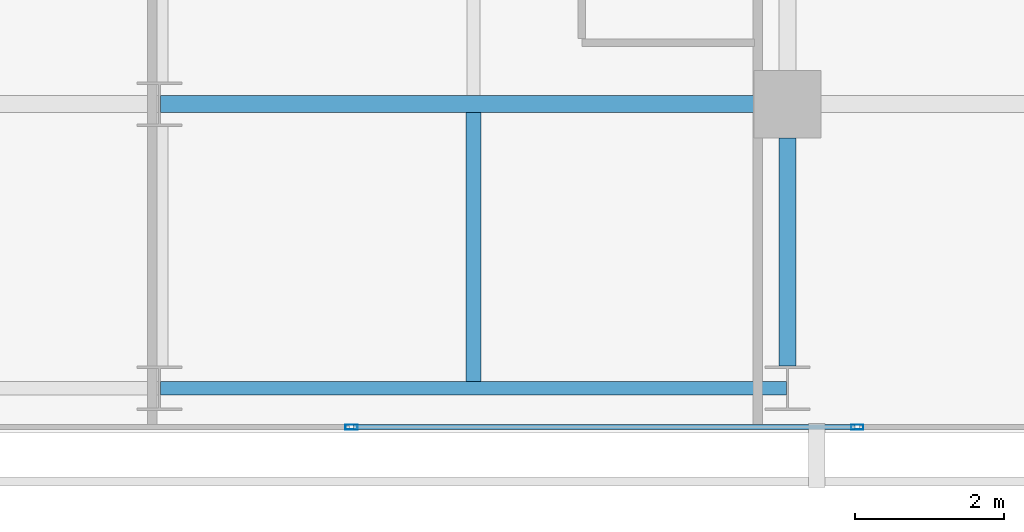
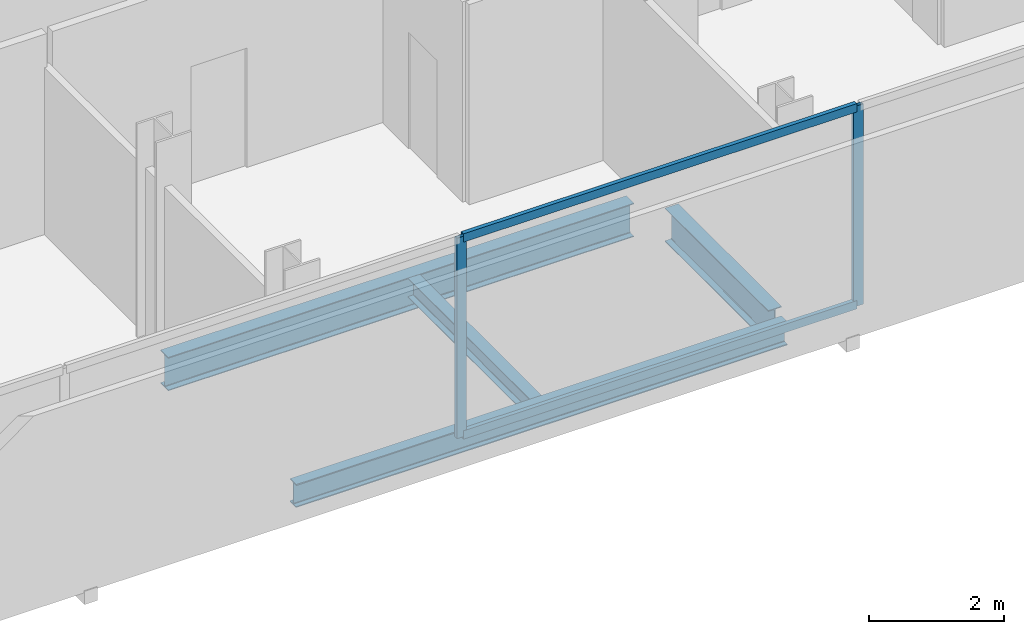
# One storey, part 12 of 34: 4 beams, 4 members, 1 element without a shape of its own.
"""IFC4 building model written with IfcOpenShell, lengths in metres."""

from ifc_helpers import new_model, si_unit, direction, frame, origin, origin_2d, place, context, subcontext, project, spatial, hollow_rectangle, i_section, extrude, material, layer, layer_set, material_profile, profile_set, type_object, element, aggregate, save


model = new_model("IFC4")

# Units and contexts
model_context = context("Model", 3, precision=1e-05, world=origin(), true_north=direction((0.0, 1.0)))
body_context = subcontext(model_context, "Body", "Model", "MODEL_VIEW")
ifc_project = project(units=[si_unit("LENGTHUNIT", "METRE"), si_unit("AREAUNIT", "SQUARE_METRE"), si_unit("VOLUMEUNIT", "CUBIC_METRE"), si_unit("PLANEANGLEUNIT", "RADIAN"), si_unit("MASSUNIT", "GRAM", prefix="KILO")], contexts=[model_context])

# Site, building, storey
site_placement = place(None, origin())
site = spatial("IfcSite", under=ifc_project, at=site_placement, CompositionType="ELEMENT")
building_placement = place(site_placement, origin())
building = spatial("IfcBuilding", under=site, at=building_placement, Name="Maruvema Waterfront Hotel and Observation Tower", CompositionType="ELEMENT")
storey_placement = place(building_placement, frame((0.0, 0.0, 173.60009765625)))
storey = spatial("IfcBuildingStorey", under=building, at=storey_placement, Name="L42", CompositionType="ELEMENT", Elevation=173.60009765625)

# Curtain wall, members
ifc_material_1 = material(Name="Anodised bronze aluminium and solar-control low-E IGU", Category="aluminium")
ifc_layer = layer(ifc_material_1, 0.159912109375, Name="Zone 2 Amber Inner Thermal Curtain Wall System CW-03")
ifc_layer_set = layer_set([ifc_layer], Name="Anodised bronze aluminium and solar-control low-E IGU")
curtain_wall_type = type_object("IfcCurtainWallType", Name="Zone 2 Amber Inner Thermal Curtain Wall System CW-03", PredefinedType="USERDEFINED", material=ifc_layer_set)
curtain_wall_placement = place(storey_placement, origin())
curtain_wall = element("IfcCurtainWall", 1, at=curtain_wall_placement, inside=storey, type_object=curtain_wall_type, Name="L42 Curtain Wall CW-L42-S", ObjectType="UNITISED CURTAIN WALL", PredefinedType="USERDEFINED")
ifc_material_2 = material(Name="Anodised architectural bronze aluminium", Category="aluminium")
ifc_material_profile_1 = material_profile(ifc_material_2, hollow_rectangle(XDim=0.070068359375, YDim=0.14990234375, WallThickness=0.00390625, at=origin_2d()), Name="ALU-T70x150")
ifc_profile_set_1 = profile_set([ifc_material_profile_1], Name="Anodised architectural bronze aluminium")
member_type_1 = type_object("IfcMemberType", Name="Curtain Wall Horizontal Transom ALU-T70x150", PredefinedType="USERDEFINED", material=ifc_profile_set_1)
member_1_placement = place(storey_placement, frame((44.5966796875, 4.679931640625, 0.02978515625), z_axis=(1.0, 0.0, 0.0), x_axis=(0.0, 1.0, 0.0)))
member_1 = element("IfcMember", 2, at=member_1_placement, type_object=member_type_1, Name="CW-03 transom 5.1", ObjectType="TRANSOM", PredefinedType="USERDEFINED", context=body_context, shape_type="SweptSolid", body=[
    extrude(hollow_rectangle(XDim=0.070068359375, YDim=0.14990234375, WallThickness=0.00390625, at=origin_2d()), origin(), (0.0, 0.0, 1.0), 6.70654296875),
])
member_2_placement = place(storey_placement, frame((44.5966796875, 4.679931640625, 3.579833984375), z_axis=(1.0, 0.0, 0.0), x_axis=(0.0, 1.0, 0.0)))
member_2 = element("IfcMember", 3, at=member_2_placement, type_object=member_type_1, Name="CW-03 transom 5.2", ObjectType="TRANSOM", PredefinedType="USERDEFINED", context=body_context, shape_type="SweptSolid", body=[
    extrude(hollow_rectangle(XDim=0.070068359375, YDim=0.14990234375, WallThickness=0.00390625, at=origin_2d()), origin(), (0.0, 0.0, 1.0), 6.70654296875),
])
ifc_material_3 = material(Name="Anodised architectural bronze aluminium", Category="aluminium")
ifc_material_profile_2 = material_profile(ifc_material_3, hollow_rectangle(XDim=0.06494140625, YDim=0.1650390625, WallThickness=0.00390625, at=origin_2d()), Name="ALU-M65x165")
ifc_profile_set_2 = profile_set([ifc_material_profile_2], Name="Anodised architectural bronze aluminium")
member_type_2 = type_object("IfcMemberType", Name="Curtain Wall Primary Mullion ALU-M65x165", PredefinedType="MULLION", material=ifc_profile_set_2)
member_3_placement = place(storey_placement, frame((44.566650390625, 4.679931640625, 0.0), z_axis=(0.0, 0.0, 1.0), x_axis=(0.0, 1.0, 0.0)))
member_3 = element("IfcMember", 4, at=member_3_placement, type_object=member_type_2, Name="CW-03 mullion 5", PredefinedType="MULLION", context=body_context, shape_type="SweptSolid", body=[
    extrude(hollow_rectangle(XDim=0.06494140625, YDim=0.1650390625, WallThickness=0.00390625, at=origin_2d()), origin(), (0.0, 0.0, 1.0), 3.60986328125),
])
member_4_placement = place(storey_placement, frame((51.333251953125, 4.679931640625, 0.0), z_axis=(0.0, 0.0, 1.0), x_axis=(0.0, 1.0, 0.0)))
member_4 = element("IfcMember", 5, at=member_4_placement, type_object=member_type_2, Name="CW-03 mullion 6", PredefinedType="MULLION", context=body_context, shape_type="SweptSolid", body=[
    extrude(hollow_rectangle(XDim=0.06494140625, YDim=0.1650390625, WallThickness=0.00390625, at=origin_2d()), origin(), (0.0, 0.0, 1.0), 3.60986328125),
])
aggregate(curtain_wall, [member_3, member_4, member_1, member_2])

# Beams
ifc_material_4 = material(Name="Steel ASTM A572 Grade 50", Category="steel")
ifc_material_profile_3 = material_profile(ifc_material_4, i_section(OverallWidth=0.180908203125, OverallDepth=0.4169921875, WebThickness=0.010986328125, FlangeThickness=0.018310546875, FilletRadius=0.014892578125, at=origin_2d()), Name="W410x85.0")
ifc_profile_set_3 = profile_set([ifc_material_profile_3], Name="Steel ASTM A572 Grade 50")
beam_type_1 = type_object("IfcBeamType", Name="Perimeter Spandrel Beam W410x85.0", PredefinedType="SPANDREL", material=ifc_profile_set_3)
beam_1_placement = place(storey_placement, frame((42.012451171875, 5.199951171875, -0.448486328125), z_axis=(1.0, 0.0, 0.0), x_axis=(0.0, 1.0, 0.0)))
element("IfcBeam", 6, at=beam_1_placement, inside=storey, type_object=beam_type_1, Name="L42 Floor Girder EW-03", PredefinedType="SPANDREL", context=body_context, shape_type="SweptSolid", body=[
    extrude(i_section(OverallWidth=0.180908203125, OverallDepth=0.4169921875, WebThickness=0.010986328125, FlangeThickness=0.018310546875, FilletRadius=0.014892578125, at=origin_2d()), origin(), (0.0, 0.0, 1.0), 8.375),
])
ifc_material_5 = material(Name="Steel ASTM A572 Grade 50", Category="steel")
ifc_material_profile_4 = material_profile(ifc_material_5, i_section(OverallWidth=0.22802734375, OverallDepth=0.60302734375, WebThickness=0.010498046875, FlangeThickness=0.014892578125, FilletRadius=0.01806640625, at=origin_2d()), Name="W610x101.0")
ifc_profile_set_4 = profile_set([ifc_material_profile_4], Name="Steel ASTM A572 Grade 50")
beam_type_2 = type_object("IfcBeamType", Name="Primary Floor Girder W610x101.0", PredefinedType="BEAM", material=ifc_profile_set_4)
beam_2_placement = place(storey_placement, frame((42.012451171875, 9.0, -0.54150390625), z_axis=(1.0, 0.0, 0.0), x_axis=(0.0, 1.0, 0.0)))
element("IfcBeam", 7, at=beam_2_placement, inside=storey, type_object=beam_type_2, Name="L42 Floor Girder EW-08", PredefinedType="BEAM", context=body_context, shape_type="SweptSolid", body=[
    extrude(i_section(OverallWidth=0.22802734375, OverallDepth=0.60302734375, WebThickness=0.010498046875, FlangeThickness=0.014892578125, FilletRadius=0.01806640625, at=origin_2d()), origin(), (0.0, 0.0, 1.0), 7.9375),
])
beam_3_placement = place(storey_placement, frame((50.39990234375, 5.5, -0.54150390625), z_axis=(0.0, 1.0, 0.0), x_axis=(-1.0, 0.0, 0.0)))
element("IfcBeam", 8, at=beam_3_placement, inside=storey, type_object=beam_type_2, Name="L42 Floor Girder NS-20", PredefinedType="BEAM", context=body_context, shape_type="SweptSolid", body=[
    extrude(i_section(OverallWidth=0.22802734375, OverallDepth=0.60302734375, WebThickness=0.010498046875, FlangeThickness=0.014892578125, FilletRadius=0.01806640625, at=origin_2d()), origin(), (0.0, 0.0, 1.0), 3.050048828125),
])
ifc_material_6 = material(Name="Steel ASTM A572 Grade 50", Category="steel")
ifc_material_profile_5 = material_profile(ifc_material_6, i_section(OverallWidth=0.202880859375, OverallDepth=0.346923828125, WebThickness=0.0078125, FlangeThickness=0.013427734375, FilletRadius=0.014892578125, at=origin_2d()), Name="W360x64.0")
ifc_profile_set_5 = profile_set([ifc_material_profile_5], Name="Steel ASTM A572 Grade 50")
beam_type_3 = type_object("IfcBeamType", Name="Secondary Floor Joist W360x64.0", PredefinedType="JOIST", material=ifc_profile_set_5)
beam_4_placement = place(storey_placement, frame((46.199951171875, 5.29052734375, -0.41357421875), z_axis=(0.0, 1.0, 0.0), x_axis=(-1.0, 0.0, 0.0)))
element("IfcBeam", 9, at=beam_4_placement, inside=storey, type_object=beam_type_3, Name="L42 Secondary Floor Joist JS-09", PredefinedType="JOIST", context=body_context, shape_type="SweptSolid", body=[
    extrude(i_section(OverallWidth=0.202880859375, OverallDepth=0.346923828125, WebThickness=0.0078125, FlangeThickness=0.013427734375, FilletRadius=0.014892578125, at=origin_2d()), origin(), (0.0, 0.0, 1.0), 3.595458984375),
])

save(model, "model.ifc")
